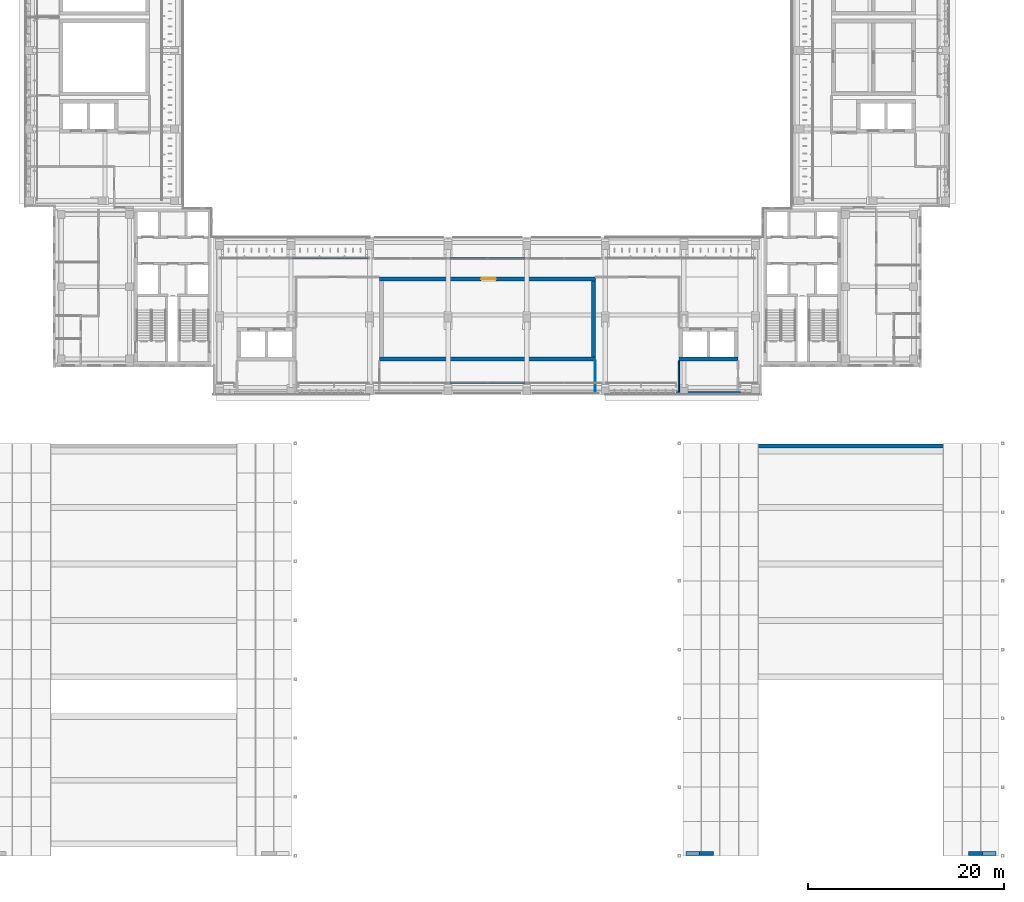
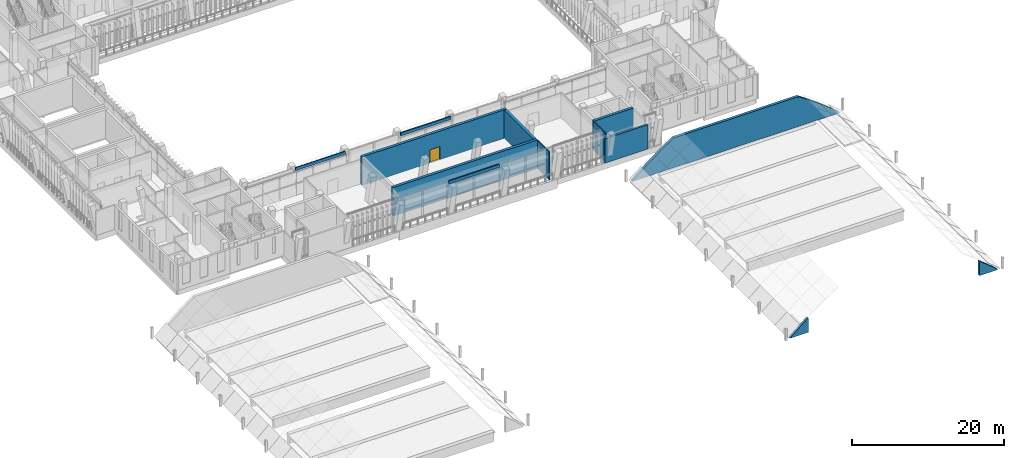
# One storey, part 59 of 89: 13 walls, 1 door, 1 opening.
"""IFC4 building model written with IfcOpenShell, lengths in metres."""

from ifc_helpers import new_model, si_unit, direction, frame, frame_2d, origin, place, context, subcontext, project, spatial, polyline, rectangle, outline, extrude, material, layer, layer_set, type_object, element, fill, save


model = new_model("IFC4")

# Units and contexts
model_context = context("Model", 3, precision=1e-05, world=origin(), true_north=direction((0.0, 1.0)))
body_context = subcontext(model_context, "Body", "Model", "MODEL_VIEW")
ifc_project = project(units=[si_unit("LENGTHUNIT", "METRE"), si_unit("AREAUNIT", "SQUARE_METRE"), si_unit("VOLUMEUNIT", "CUBIC_METRE"), si_unit("PLANEANGLEUNIT", "RADIAN"), si_unit("MASSUNIT", "GRAM", prefix="KILO")], contexts=[model_context])

# Site, building, storey
site_placement = place(None, origin())
site = spatial("IfcSite", under=ifc_project, at=site_placement, CompositionType="ELEMENT")
building_placement = place(site_placement, origin())
building = spatial("IfcBuilding", under=site, at=building_placement, Name="Lantern Court Media Centre", CompositionType="ELEMENT")
storey_placement = place(building_placement, frame((0.0, 0.0, 14.39990234375)))
storey = spatial("IfcBuildingStorey", under=building, at=storey_placement, Name="L03", CompositionType="ELEMENT", Elevation=14.39990234375)

# Walls
ifc_material_1 = material(Name="Limestone masonry, insulated", Category="masonry")
ifc_layer_1 = layer(ifc_material_1, 0.39990234375)
ifc_layer_set_1 = layer_set([ifc_layer_1], Name="Limestone masonry, insulated")
wall_type_1 = type_object("IfcWallType", Name="Hall upper gable wall, stone-faced masonry 400", PredefinedType="SOLIDWALL", material=ifc_layer_set_1)
wall_1_placement = place(storey_placement, frame((72.230712890625, -1.75, 0.0), z_axis=(0.0, 0.0, 1.0), x_axis=(1.0, 0.0, 0.0)))
element("IfcWall", 1, at=wall_1_placement, inside=storey, type_object=wall_type_1, Name="Studio Hall south gable L03", PredefinedType="SOLIDWALL", context=body_context, shape_type="SweptSolid", body=[
    extrude(outline(polyline([(0.0, 0.0), (2.769287109375, 0.0), (2.769287109375, 2.297119140625), (2.538330078125, 2.1201171875), (2.3076171875, 1.94140625), (2.076904296875, 1.760498046875), (1.84619140625, 1.578125), (1.615234375, 1.393798828125), (1.384521484375, 1.207763671875), (1.15380859375, 1.019775390625), (0.923095703125, 0.82958984375), (0.6923828125, 0.6376953125), (0.46142578125, 0.44384765625), (0.230712890625, 0.248046875), (0.0, 0.050048828125), (0.0, 0.0)])), frame((0.0, 0.199951171875, 0.0), z_axis=(0.0, -1.0, 0.0), x_axis=(1.0, 0.0, 0.0)), (0.0, 0.0, 1.0), 0.39990234375),
])
wall_2_placement = place(storey_placement, frame((101.0, -1.75, 0.0), z_axis=(0.0, 0.0, 1.0), x_axis=(1.0, 0.0, 0.0)))
element("IfcWall", 2, at=wall_2_placement, inside=storey, type_object=wall_type_1, Name="Studio Hall south gable L03", PredefinedType="SOLIDWALL", context=body_context, shape_type="SweptSolid", body=[
    extrude(outline(polyline([(0.0, 0.0), (2.769287109375, 0.0), (2.769287109375, 0.050048828125), (2.538330078125, 0.248046875), (2.3076171875, 0.44384765625), (2.076904296875, 0.6376953125), (1.84619140625, 0.82958984375), (1.615234375, 1.019775390625), (1.384521484375, 1.207763671875), (1.15380859375, 1.393798828125), (0.923095703125, 1.578125), (0.6923828125, 1.760498046875), (0.46142578125, 1.94140625), (0.230712890625, 2.1201171875), (0.0, 2.297119140625), (0.0, 0.0)])), frame((0.0, 0.199951171875, 0.0), z_axis=(0.0, -1.0, 0.0), x_axis=(1.0, 0.0, 0.0)), (0.0, 0.0, 1.0), 0.39990234375),
])
wall_3_placement = place(storey_placement, frame((72.230712890625, 39.75, 0.0), z_axis=(0.0, 0.0, 1.0), x_axis=(1.0, 0.0, 0.0)))
element("IfcWall", 3, at=wall_3_placement, inside=storey, type_object=wall_type_1, Name="Studio Hall north gable L03", PredefinedType="SOLIDWALL", context=body_context, shape_type="SweptSolid", body=[
    extrude(outline(polyline([(0.0, 0.0), (31.53857421875, 0.0), (31.538330078125, 0.050048828125), (31.2900390625, 0.262939453125), (31.041748046875, 0.473388671875), (30.793212890625, 0.681884765625), (30.544921875, 0.8876953125), (30.296630859375, 1.091552734375), (30.04833984375, 1.29296875), (29.800048828125, 1.4921875), (29.5517578125, 1.689453125), (29.30322265625, 1.884521484375), (29.054931640625, 2.07763671875), (28.806640625, 2.2685546875), (28.558349609375, 2.457275390625), (28.31005859375, 2.64404296875), (28.061767578125, 2.828857421875), (27.813232421875, 3.01171875), (27.56494140625, 3.192626953125), (27.316650390625, 3.37158203125), (27.068359375, 3.548583984375), (26.820068359375, 3.7236328125), (26.57177734375, 3.89697265625), (26.3232421875, 4.068359375), (26.074951171875, 4.23779296875), (25.82666015625, 4.40576171875), (25.578369140625, 4.57177734375), (25.330078125, 4.73583984375), (25.23193359375, 4.800048828125), (25.081787109375, 4.800048828125), (24.833251953125, 4.800048828125), (24.5849609375, 4.800048828125), (24.336669921875, 4.800048828125), (24.08837890625, 4.800048828125), (23.840087890625, 4.800048828125), (23.591796875, 4.800048828125), (23.34326171875, 4.800048828125), (23.094970703125, 4.800048828125), (22.8466796875, 4.800048828125), (22.598388671875, 4.800048828125), (22.35009765625, 4.800048828125), (22.101806640625, 4.800048828125), (21.853271484375, 4.800048828125), (21.60498046875, 4.800048828125), (21.356689453125, 4.800048828125), (21.1083984375, 4.800048828125), (20.860107421875, 4.800048828125), (20.61181640625, 4.800048828125), (20.36328125, 4.800048828125), (20.114990234375, 4.800048828125), (19.86669921875, 4.800048828125), (19.618408203125, 4.800048828125), (19.3701171875, 4.800048828125), (19.12158203125, 4.800048828125), (18.873291015625, 4.800048828125), (18.625, 4.800048828125), (18.376708984375, 4.800048828125), (18.12841796875, 4.800048828125), (17.8798828125, 4.800048828125), (17.631591796875, 4.800048828125), (17.38330078125, 4.800048828125), (17.135009765625, 4.800048828125), (16.88671875, 4.800048828125), (16.63818359375, 4.800048828125), (16.389892578125, 4.800048828125), (16.1416015625, 4.800048828125), (15.893310546875, 4.800048828125), (15.64501953125, 4.800048828125), (15.396728515625, 4.800048828125), (15.148193359375, 4.800048828125), (14.89990234375, 4.800048828125), (14.651611328125, 4.800048828125), (14.4033203125, 4.800048828125), (14.155029296875, 4.800048828125), (13.90673828125, 4.800048828125), (13.658203125, 4.800048828125), (13.409912109375, 4.800048828125), (13.16162109375, 4.800048828125), (12.913330078125, 4.800048828125), (12.6650390625, 4.800048828125), (12.416748046875, 4.800048828125), (12.168212890625, 4.800048828125), (11.919921875, 4.800048828125), (11.671630859375, 4.800048828125), (11.42333984375, 4.800048828125), (11.175048828125, 4.800048828125), (10.9267578125, 4.800048828125), (10.67822265625, 4.800048828125), (10.429931640625, 4.800048828125), (10.181640625, 4.800048828125), (9.933349609375, 4.800048828125), (9.68505859375, 4.800048828125), (9.436767578125, 4.800048828125), (9.188232421875, 4.800048828125), (8.93994140625, 4.800048828125), (8.691650390625, 4.800048828125), (8.443359375, 4.800048828125), (8.195068359375, 4.800048828125), (7.94677734375, 4.800048828125), (7.6982421875, 4.800048828125), (7.449951171875, 4.800048828125), (7.20166015625, 4.800048828125), (6.953369140625, 4.800048828125), (6.705078125, 4.800048828125), (6.456787109375, 4.800048828125), (6.306396484375, 4.800048828125), (6.208251953125, 4.73583984375), (5.9599609375, 4.57177734375), (5.711669921875, 4.40576171875), (5.46337890625, 4.23779296875), (5.215087890625, 4.068359375), (4.966796875, 3.89697265625), (4.71826171875, 3.7236328125), (4.469970703125, 3.548583984375), (4.2216796875, 3.37158203125), (3.973388671875, 3.192626953125), (3.72509765625, 3.01171875), (3.476806640625, 2.828857421875), (3.228271484375, 2.64404296875), (2.97998046875, 2.457275390625), (2.731689453125, 2.2685546875), (2.4833984375, 2.07763671875), (2.235107421875, 1.884521484375), (1.98681640625, 1.689453125), (1.73828125, 1.4921875), (1.489990234375, 1.29296875), (1.24169921875, 1.091552734375), (0.993408203125, 0.8876953125), (0.7451171875, 0.681884765625), (0.49658203125, 0.473388671875), (0.248291015625, 0.262939453125), (0.0, 0.050048828125), (0.0, 0.0)])), frame((0.0, 0.199951171875, 0.0), z_axis=(0.0, -1.0, 0.0), x_axis=(1.0, 0.0, 0.0)), (0.0, 0.0, 1.0), 0.39990234375),
])
ifc_material_2 = material(Name="Insulated rendered blockwork", Category="masonry")
ifc_layer_2 = layer(ifc_material_2, 0.14990234375)
ifc_layer_set_2 = layer_set([ifc_layer_2], Name="Insulated rendered blockwork")
wall_type_2 = type_object("IfcWallType", Name="Head infill wall 150", PredefinedType="SOLIDWALL", material=ifc_layer_set_2)
wall_4_placement = place(storey_placement, frame((32.199951171875, 58.85009765625, 4.10009765625), z_axis=(0.0, 0.0, 1.0), x_axis=(1.0, 0.0, 0.0)))
element("IfcWall", 4, at=wall_4_placement, inside=storey, type_object=wall_type_2, Name="Head infill wall S inner L03", PredefinedType="SOLIDWALL", context=body_context, shape_type="SweptSolid", body=[
    extrude(rectangle(XDim=7.60009765625, YDim=0.14990234375, at=frame_2d((3.800048828125, 0.0))), origin(), (0.0, 0.0, 1.0), 0.47998046875),
])
ifc_layer_3 = layer(ifc_material_2, 0.199951171875)
ifc_layer_set_3 = layer_set([ifc_layer_3], Name="Insulated rendered blockwork")
wall_type_3 = type_object("IfcWallType", Name="Head infill wall 200", PredefinedType="SOLIDWALL", material=ifc_layer_set_3)
for number, where, z_axis, x_axis, name in (
    (5, (48.199951171875, 46.14990234375, 4.10009765625), (0.0, 0.0, 1.0), (1.0, 0.0, 0.0), "Head infill wall S hall"),
    (6, (48.199951171875, 58.85009765625, 4.10009765625), (0.0, 0.0, 1.0), (1.0, 0.0, 0.0), "Head infill wall S hall"),
):
    element("IfcWall", number, at=place(storey_placement, frame(where, z_axis=z_axis, x_axis=x_axis)), inside=storey, type_object=wall_type_3, Name=name, PredefinedType="SOLIDWALL", context=body_context, shape_type="SweptSolid", body=[
        extrude(rectangle(XDim=7.60009765625, YDim=0.199951171875, at=frame_2d((3.800048828125, 0.0))), origin(), (0.0, 0.0, 1.0), 0.47998046875),
    ])
ifc_material_3 = material(Name="Honed limestone cladding on blockwork", Category="masonry")
ifc_layer_4 = layer(ifc_material_3, 0.300048828125)
ifc_layer_set_4 = layer_set([ifc_layer_4], Name="Honed limestone cladding on blockwork")
wall_type_4 = type_object("IfcWallType", Name="Limestone flank wall 300", PredefinedType="SOLIDWALL", material=ifc_layer_set_4)
wall_5_placement = place(storey_placement, frame((71.25, 45.14990234375, 0.0), z_axis=(0.0, 0.0, 1.0), x_axis=(1.0, 0.0, 0.0)))
element("IfcWall", 7, at=wall_5_placement, inside=storey, type_object=wall_type_4, Name="Limestone flank wall S outer L03", PredefinedType="SOLIDWALL", context=body_context, shape_type="SweptSolid", body=[
    extrude(rectangle(XDim=6.5, YDim=0.300048828125, at=frame_2d((3.25, 0.0))), origin(), (0.0, 0.0, 1.0), 3.900146484375),
])
ifc_material_4 = material(Name="Gypsum board partition")
ifc_layer_5 = layer(ifc_material_4, 0.10009765625)
ifc_layer_set_5 = layer_set([ifc_layer_5], Name="Gypsum board partition")
wall_type_5 = type_object("IfcWallType", Name="Partition 100", PredefinedType="PARTITIONING", material=ifc_layer_set_5)
wall_6_placement = place(storey_placement, frame((63.0, 45.300048828125, 0.0), z_axis=(0.0, 0.0, 1.0), x_axis=(0.0, 1.0, 0.0)))
element("IfcWall", 8, at=wall_6_placement, inside=storey, type_object=wall_type_5, Name="L03 partition 010", PredefinedType="PARTITIONING", context=body_context, shape_type="SweptSolid", body=[
    extrude(rectangle(XDim=3.099853515625, YDim=0.10009765625, at=frame_2d((1.5498046875, 0.0))), origin(), (0.0, 0.0, 1.0), 4.56005859375),
])
ifc_material_5 = material(Name="Concrete C40", Category="concrete")
ifc_layer_6 = layer(ifc_material_5, 0.39990234375)
ifc_layer_set_6 = layer_set([ifc_layer_6], Name="Concrete C40")
wall_type_6 = type_object("IfcWallType", Name="RC SHEAR WALL 400", PredefinedType="SHEAR", material=ifc_layer_set_6)
wall_7_placement = place(storey_placement, frame((71.5, 48.60009765625, 0.0), z_axis=(0.0, 0.0, 1.0), x_axis=(1.0, 0.0, 0.0)))
element("IfcWall", 9, at=wall_7_placement, inside=storey, type_object=wall_type_6, Name="WB-S-LC2-L03-S", PredefinedType="SHEAR", context=body_context, shape_type="SweptSolid", body=[
    extrude(rectangle(XDim=6.0, YDim=0.39990234375, at=frame_2d((3.0, 0.0))), origin(), (0.0, 0.0, 1.0), 4.580078125),
])
wall_8_placement = place(storey_placement, frame((41.0, 48.60009765625, 0.0), z_axis=(0.0, 0.0, 1.0), x_axis=(1.0, 0.0, 0.0)))
element("IfcWall", 10, at=wall_8_placement, inside=storey, type_object=wall_type_6, Name="WB-S-STK-L03-S", PredefinedType="SHEAR", context=body_context, shape_type="SweptSolid", body=[
    extrude(rectangle(XDim=22.0, YDim=0.39990234375, at=frame_2d((11.0, 0.0))), origin(), (0.0, 0.0, 1.0), 4.580078125),
])

# Wall, opening, door
wall_9_placement = place(storey_placement, frame((41.0, 56.75, 0.0), z_axis=(0.0, 0.0, 1.0), x_axis=(1.0, 0.0, 0.0)))
wall_9 = element("IfcWall", 11, at=wall_9_placement, inside=storey, type_object=wall_type_6, Name="WB-S-STK-L03-N", PredefinedType="SHEAR", context=body_context, shape_type="SweptSolid", body=[
    extrude(rectangle(XDim=22.0, YDim=0.39990234375, at=frame_2d((11.0, 0.0))), origin(), (0.0, 0.0, 1.0), 4.580078125),
])
opening_placement = place(wall_9_placement, frame((10.365966796875, 0.0, 0.0)))
opening = element("IfcOpeningElement", 12, at=opening_placement, cuts=wall_9, Name="Opening L03-003", PredefinedType="OPENING", context=body_context, shape_type="SweptSolid", body=[
    extrude(rectangle(XDim=1.5, YDim=2.10009765625, at=frame_2d((0.75, 1.050048828125))), frame((0.0, 0.2099609375, 0.0), z_axis=(0.0, -1.0, 0.0), x_axis=(1.0, 0.0, 0.0)), (0.0, 0.0, 1.0), 0.419921875),
])
ifc_material_6 = material(Name="Solid-core timber door leaf", Category="wood")
door_type = type_object("IfcDoorType", Name="Stack hall double door 1500x2100", OperationType="NOTDEFINED", PredefinedType="DOOR", material=ifc_material_6)
door_placement = place(opening_placement, origin())
door = element("IfcDoor", 13, at=door_placement, inside=storey, type_object=door_type, Name="L03 Library Stacks door", OperationType="SINGLE_SWING_RIGHT", OverallHeight=2.10009765625, OverallWidth=1.5, PredefinedType="DOOR", context=body_context, shape_type="SweptSolid", body=[
    extrude(rectangle(XDim=1.5, YDim=2.10009765625, at=frame_2d((0.75, 1.050048828125))), frame((0.0, 0.02490234375, 0.0), z_axis=(0.0, -1.0, 0.0), x_axis=(1.0, 0.0, 0.0)), (0.0, 0.0, 1.0), 0.050048828125),
])
fill(opening, door)

# Walls
wall_10_placement = place(storey_placement, frame((62.800048828125, 48.800048828125, 0.0), z_axis=(0.0, 0.0, 1.0), x_axis=(0.0, 1.0, 0.0)))
element("IfcWall", 14, at=wall_10_placement, inside=storey, type_object=wall_type_6, Name="WB-S-STK-L03-E", PredefinedType="SHEAR", context=body_context, shape_type="SweptSolid", body=[
    extrude(rectangle(XDim=7.75, YDim=0.39990234375, at=frame_2d((3.875, 0.0))), origin(), (0.0, 0.0, 1.0), 4.580078125),
])
ifc_material_7 = material(Name="Fire-rated gypsum board")
ifc_layer_7 = layer(ifc_material_7, 0.159912109375)
ifc_layer_set_7 = layer_set([ifc_layer_7], Name="Fire-rated gypsum board")
wall_type_7 = type_object("IfcWallType", Name="Riser shaft liner wall 160", PredefinedType="PARTITIONING", material=ifc_layer_set_7)
wall_11_placement = place(storey_placement, frame((71.5, 45.300048828125, 0.0), z_axis=(0.0, 0.0, 1.0), x_axis=(0.0, 1.0, 0.0)))
element("IfcWall", 15, at=wall_11_placement, inside=storey, type_object=wall_type_7, Name="L03 partition 007", PredefinedType="PARTITIONING", context=body_context, shape_type="SweptSolid", body=[
    extrude(rectangle(XDim=3.099853515625, YDim=0.159912109375, at=frame_2d((1.5498046875, 0.0))), origin(), (0.0, 0.0, 1.0), 4.56005859375),
])

save(model, "model.ifc")
